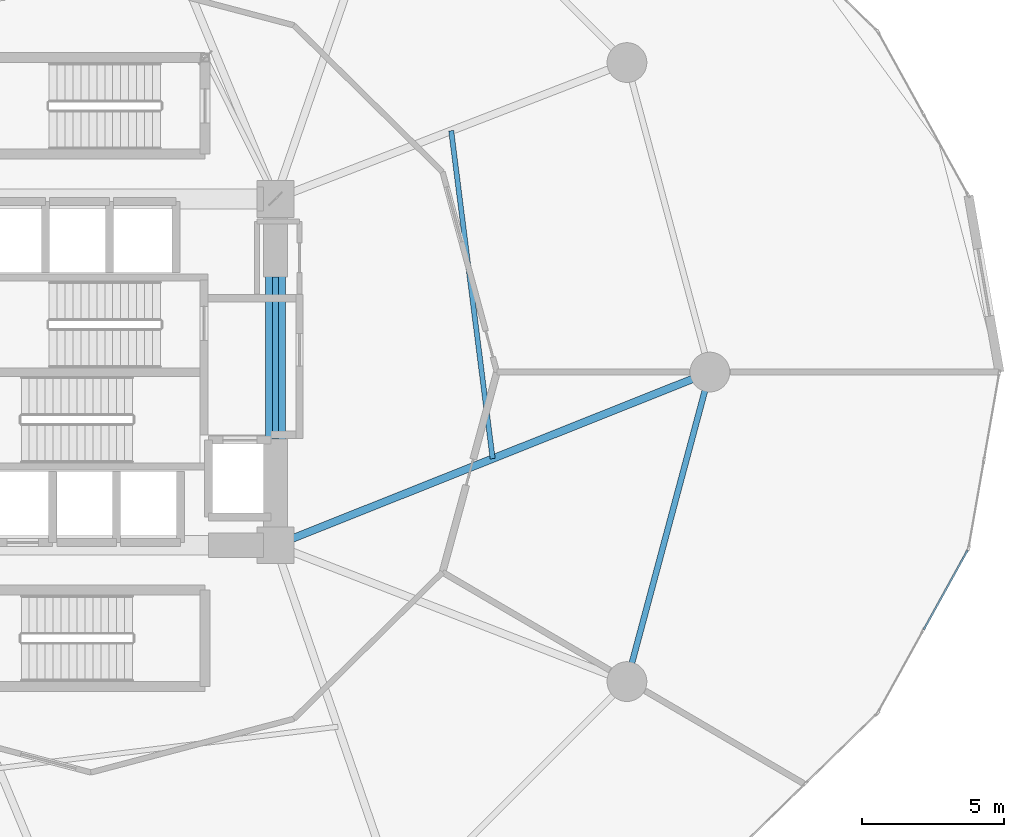
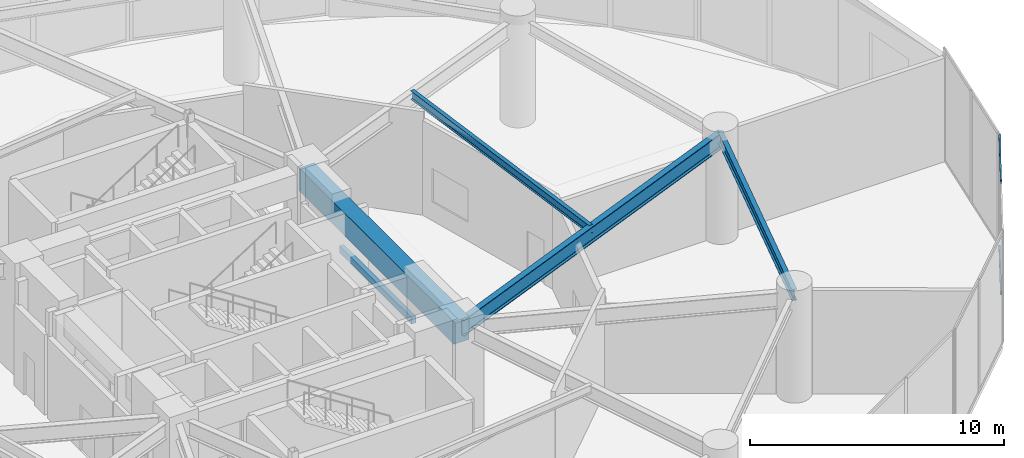
# One storey, part 12 of 29: 5 beams, 2 members, 1 element without a shape of its own.
"""IFC4 building model written with IfcOpenShell, lengths in metres."""

from ifc_helpers import new_model, si_unit, direction, frame, origin, origin_2d, place, context, subcontext, project, spatial, rectangle, hollow_rectangle, i_section, extrude, source, transform, mapped, material, layer, layer_set, material_profile, profile_set, type_object, element, aggregate, save


model = new_model("IFC4")

# Units and contexts
model_context = context("Model", 3, precision=1e-05, world=origin(), true_north=direction((0.0, 1.0)))
body_context = subcontext(model_context, "Body", "Model", "MODEL_VIEW")
ifc_project = project(units=[si_unit("LENGTHUNIT", "METRE"), si_unit("AREAUNIT", "SQUARE_METRE"), si_unit("VOLUMEUNIT", "CUBIC_METRE"), si_unit("PLANEANGLEUNIT", "RADIAN"), si_unit("MASSUNIT", "GRAM", prefix="KILO")], contexts=[model_context])

# Site, building, storey
site_placement = place(None, origin())
site = spatial("IfcSite", under=ifc_project, at=site_placement, CompositionType="ELEMENT")
building_placement = place(site_placement, origin())
building = spatial("IfcBuilding", under=site, at=building_placement, Name="Solvirekh Grand Hotel", CompositionType="ELEMENT")
storey_placement = place(building_placement, frame((0.0, 0.0, 7.199951171875)))
storey = spatial("IfcBuildingStorey", under=building, at=storey_placement, Name="L01", CompositionType="ELEMENT", Elevation=7.199951171875)

# Beams
ifc_material_1 = material(Name="Steel S355", Category="steel")
ifc_material_profile_1 = material_profile(ifc_material_1, i_section(OverallWidth=0.27001953125, OverallDepth=0.77294921875, WebThickness=0.01806640625, FlangeThickness=0.031005859375, FilletRadius=0.01806640625, at=origin_2d()), Name="W760X257")
ifc_profile_set_1 = profile_set([ifc_material_profile_1], Name="Steel S355")
beam_type_1 = type_object("IfcBeamType", Name="Beam_Ballroom_W760", PredefinedType="BEAM", material=ifc_profile_set_1)
beam_1_placement = place(storey_placement, frame((6.5, -6.10009765625, 4.593017578125), z_axis=(0.9288931718, 0.370347776263, 0.0), x_axis=(-0.370347776263, 0.9288931718, 0.0)))
element("IfcBeam", 1, at=beam_1_placement, inside=storey, type_object=beam_type_1, Name="L01 radial floor beam R01", PredefinedType="BEAM", context=body_context, shape_type="SweptSolid", body=[
    extrude(i_section(OverallWidth=0.27001953125, OverallDepth=0.77294921875, WebThickness=0.01806640625, FlangeThickness=0.031005859375, FilletRadius=0.01806640625, at=origin_2d()), origin(), (0.0, 0.0, 1.0), 16.47119140625),
])
ifc_material_2 = material(Name="Concrete C60/75", Category="concrete")
ifc_material_profile_2 = material_profile(ifc_material_2, rectangle(XDim=0.699951171875, YDim=1.10009765625, at=origin_2d()), Name="RC BEAM 700X1100")
ifc_profile_set_2 = profile_set([ifc_material_profile_2], Name="Concrete C60/75")
beam_type_2 = type_object("IfcBeamType", Name="Beam_Core_RC1100", PredefinedType="BEAM", material=ifc_profile_set_2)
beam_2_placement = place(storey_placement, frame((6.5, -6.10009765625, 4.429931640625), z_axis=(0.0, 1.0, 0.0), x_axis=(-1.0, 0.0, 0.0)))
element("IfcBeam", 2, at=beam_2_placement, inside=storey, type_object=beam_type_2, Name="L01 core coupling ring beam 2", PredefinedType="BEAM", context=body_context, shape_type="SweptSolid", body=[
    extrude(rectangle(XDim=0.699951171875, YDim=1.10009765625, at=origin_2d()), origin(), (0.0, 0.0, 1.0), 12.2001953125),
])
ifc_material_profile_3 = material_profile(ifc_material_1, i_section(OverallWidth=0.177978515625, OverallDepth=0.406982421875, WebThickness=0.008056640625, FlangeThickness=0.011962890625, FilletRadius=0.011962890625, at=origin_2d()), Name="W410X60")
ifc_profile_set_3 = profile_set([ifc_material_profile_3], Name="Steel S355")
beam_type_3 = type_object("IfcBeamType", Name="Joist_Floor_W410", PredefinedType="JOIST", material=ifc_profile_set_3)
beam_3_placement = place(storey_placement, frame((14.14990234375, -3.050048828125, 4.776123046875), z_axis=(-0.125405136007, 0.992105615276, 0.0), x_axis=(-0.992105615276, -0.125405136007, 0.0)))
element("IfcBeam", 3, at=beam_3_placement, inside=storey, type_object=beam_type_3, Name="L01 secondary composite floor joist 1", PredefinedType="JOIST", context=body_context, shape_type="SweptSolid", body=[
    extrude(i_section(OverallWidth=0.177978515625, OverallDepth=0.406982421875, WebThickness=0.008056640625, FlangeThickness=0.011962890625, FilletRadius=0.011962890625, at=origin_2d()), origin(), (0.0, 0.0, 1.0), 11.641845703125),
])
ifc_material_3 = material(Name="Precast concrete C45/55", Category="concrete")
ifc_material_profile_4 = material_profile(ifc_material_3, rectangle(XDim=0.199951171875, YDim=0.320068359375, at=origin_2d()), Name="RC LINTEL 200X320")
ifc_profile_set_4 = profile_set([ifc_material_profile_4], Name="Precast concrete C45/55")
beam_type_4 = type_object("IfcBeamType", Name="Lintel_RC320", PredefinedType="LINTEL", material=ifc_profile_set_4)
beam_4_placement = place(storey_placement, frame((6.5, -2.35009765625, 2.650146484375), z_axis=(0.0, 1.0, 0.0), x_axis=(-1.0, 0.0, 0.0)))
element("IfcBeam", 4, at=beam_4_placement, inside=storey, type_object=beam_type_4, Name="L01 east core lobby RC lintel", PredefinedType="LINTEL", context=body_context, shape_type="SweptSolid", body=[
    extrude(rectangle(XDim=0.199951171875, YDim=0.320068359375, at=origin_2d()), origin(), (0.0, 0.0, 1.0), 5.7001953125),
])
ifc_material_profile_5 = material_profile(ifc_material_1, i_section(OverallWidth=0.208984375, OverallDepth=0.532958984375, WebThickness=0.010009765625, FlangeThickness=0.014892578125, FilletRadius=0.013916015625, at=origin_2d()), Name="W530X92")
ifc_profile_set_5 = profile_set([ifc_material_profile_5], Name="Steel S355")
beam_type_5 = type_object("IfcBeamType", Name="Spandrel_Ring_W530", PredefinedType="SPANDREL", material=ifc_profile_set_5)
beam_5_placement = place(storey_placement, frame((18.87890625, -10.89990234375, 4.713134765625), z_axis=(0.258862249378, 0.965914248703, 0.0), x_axis=(-0.965914248703, 0.258862249378, 0.0)))
element("IfcBeam", 5, at=beam_5_placement, inside=storey, type_object=beam_type_5, Name="L01 perimeter spandrel beam 12", PredefinedType="SPANDREL", context=body_context, shape_type="SweptSolid", body=[
    extrude(i_section(OverallWidth=0.208984375, OverallDepth=0.532958984375, WebThickness=0.010009765625, FlangeThickness=0.014892578125, FilletRadius=0.013916015625, at=origin_2d()), origin(), (0.0, 0.0, 1.0), 11.284423828125),
])

# Curtain wall, members
ifc_material_4 = material(Name="Anodized Bronze Aluminium 6063-T6", Category="aluminium")
ifc_layer = layer(ifc_material_4, 0.219970703125)
ifc_layer_set = layer_set([ifc_layer], Name="Anodized Bronze Aluminium 6063-T6")
curtain_wall_type = type_object("IfcCurtainWallType", Name="CW_Sys1_PodiumBronzeUnitised", PredefinedType="NOTDEFINED", material=ifc_layer_set)
curtain_wall_placement = place(storey_placement, origin())
curtain_wall = element("IfcCurtainWall", 6, at=curtain_wall_placement, inside=storey, type_object=curtain_wall_type, Name="L01 unitised bronze-glass curtain wall CW-L01-C23", PredefinedType="NOTDEFINED")
ifc_material_profile_6 = material_profile(ifc_material_4, hollow_rectangle(XDim=0.06494140625, YDim=0.14990234375, WallThickness=0.0048828125, at=origin_2d()), Name="ALU RHS 150X65X5")
ifc_profile_set_6 = profile_set([ifc_material_profile_6], Name="Anodized Bronze Aluminium 6063-T6")
member_type = type_object("IfcMemberType", Name="CWTransom_Sys1", PredefinedType="USERDEFINED", material=ifc_profile_set_6)
shared_shape = source(origin(), body_context, "Body", "SweptSolid", [
    extrude(hollow_rectangle(XDim=0.06494140625, YDim=0.14990234375, WallThickness=0.0048828125, at=origin_2d()), origin(), (0.0, 0.0, 1.0), 3.19384765625),
])
member_1_placement = place(storey_placement, frame((29.32958984375, -9.0732421875, 0.032470703125), z_axis=(0.48349963747, 0.875344561054, 0.0), x_axis=(-0.875344561054, 0.48349963747, 0.0)))
member_1 = element("IfcMember", 7, at=member_1_placement, type_object=member_type, Name="U01 transom 2.1", ObjectType="TRANSOM", PredefinedType="USERDEFINED", context=body_context, shape_type="MappedRepresentation", body=[
    mapped(shared_shape, transform((0.0, 0.0, 0.0), x_axis=(1.0, 0.0, 0.0), y_axis=(0.0, 1.0, 0.0), z_axis=(0.0, 0.0, 1.0), scale=1.0)),
])
member_2_placement = place(storey_placement, frame((29.32958984375, -9.0732421875, 5.367431640625), z_axis=(0.48349963747, 0.875344561054, 0.0), x_axis=(-0.875344561054, 0.48349963747, 0.0)))
member_2 = element("IfcMember", 8, at=member_2_placement, type_object=member_type, Name="U01 transom 2.2", ObjectType="TRANSOM", PredefinedType="USERDEFINED", context=body_context, shape_type="MappedRepresentation", body=[
    mapped(shared_shape, transform((0.0, 0.0, 0.0), x_axis=(1.0, 0.0, 0.0), y_axis=(0.0, 1.0, 0.0), z_axis=(0.0, 0.0, 1.0), scale=1.0)),
])
aggregate(curtain_wall, [member_1, member_2])

save(model, "model.ifc")
